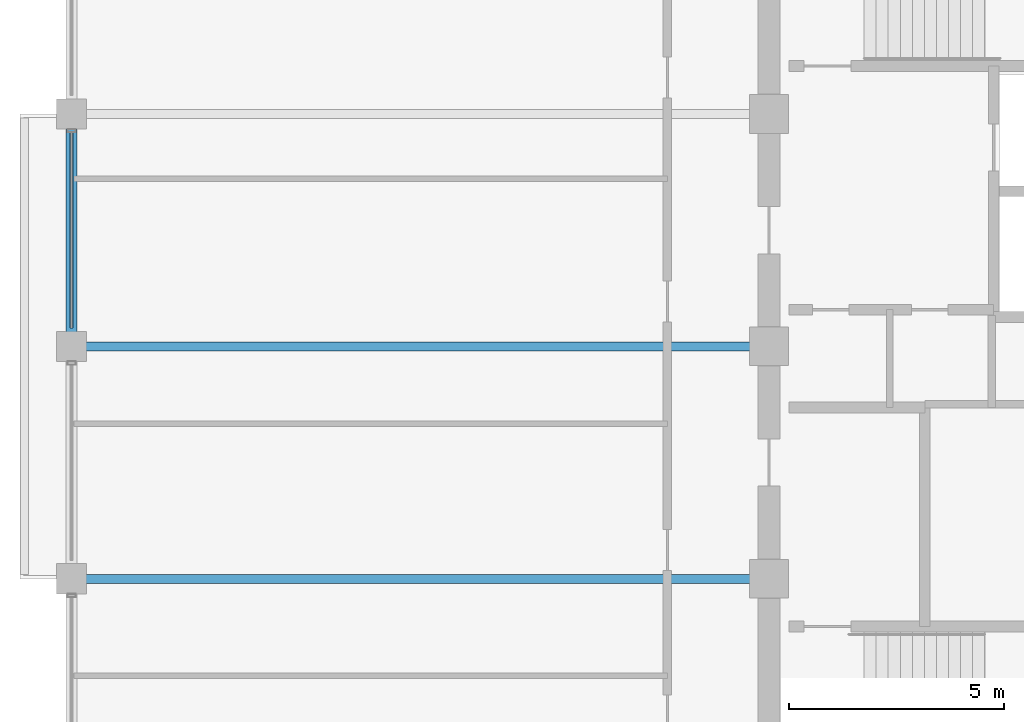
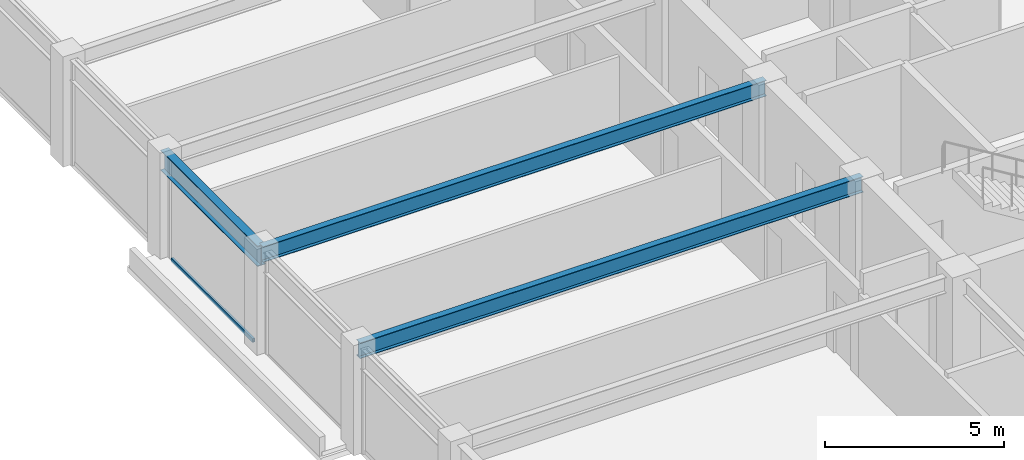
# One storey, part 9 of 30: 3 beams, 1 member, 1 element without a shape of its own.
"""IFC4 building model written with IfcOpenShell, lengths in metres."""

from ifc_helpers import new_model, si_unit, direction, frame, origin, origin_2d, place, context, subcontext, project, spatial, hollow_rectangle, i_section, extrude, material, layer, layer_set, material_profile, profile_set, type_object, element, aggregate, save


model = new_model("IFC4")

# Units and contexts
model_context = context("Model", 3, precision=1e-05, world=origin(), true_north=direction((0.0, 1.0)))
body_context = subcontext(model_context, "Body", "Model", "MODEL_VIEW")
ifc_project = project(units=[si_unit("LENGTHUNIT", "METRE"), si_unit("AREAUNIT", "SQUARE_METRE"), si_unit("VOLUMEUNIT", "CUBIC_METRE"), si_unit("PLANEANGLEUNIT", "RADIAN"), si_unit("MASSUNIT", "GRAM", prefix="KILO")], contexts=[model_context])

# Site, building, storey
site_placement = place(None, origin())
site = spatial("IfcSite", under=ifc_project, at=site_placement, CompositionType="ELEMENT")
building_placement = place(site_placement, origin())
building = spatial("IfcBuilding", under=site, at=building_placement, Name="Surkhivell Harbour Commons", CompositionType="ELEMENT")
storey_placement = place(building_placement, frame((0.0, 0.0, 281.25)))
storey = spatial("IfcBuildingStorey", under=building, at=storey_placement, Name="L73", CompositionType="ELEMENT", Elevation=281.25)

# Beams
ifc_material_1 = material(Name="Steel S355", Category="steel")
ifc_material_profile_1 = material_profile(ifc_material_1, i_section(OverallWidth=0.2099609375, OverallDepth=0.537109375, WebThickness=0.0107421875, FlangeThickness=0.017333984375, at=origin_2d()), Name="UB533x210x101")
ifc_profile_set_1 = profile_set([ifc_material_profile_1], Name="Steel S355")
beam_type_1 = type_object("IfcBeamType", Name="BM-GRD-533B", PredefinedType="BEAM", material=ifc_profile_set_1)
for number, where, z_axis, x_axis, name in (
    (1, (-27.0, -5.39990234375, 3.301513671875), (1.0, 0.0, 0.0), (0.0, 1.0, 0.0), "L73 Floor Girder (-27.0,-5.4)"),
    (2, (-27.0, 0.0, 3.301513671875), (1.0, 0.0, 0.0), (0.0, 1.0, 0.0), "L73 Floor Girder (-27.0,0.0)"),
):
    element("IfcBeam", number, at=place(storey_placement, frame(where, z_axis=z_axis, x_axis=x_axis)), inside=storey, type_object=beam_type_1, Name=name, PredefinedType="BEAM", context=body_context, shape_type="SweptSolid", body=[
        extrude(i_section(OverallWidth=0.2099609375, OverallDepth=0.537109375, WebThickness=0.0107421875, FlangeThickness=0.017333984375, at=origin_2d()), origin(), (0.0, 0.0, 1.0), 16.199951171875),
    ])
ifc_material_profile_2 = material_profile(ifc_material_1, i_section(OverallWidth=0.256103515625, OverallDepth=0.693115234375, WebThickness=0.014404296875, FlangeThickness=0.023681640625, at=origin_2d()), Name="UB686x254x170")
ifc_profile_set_2 = profile_set([ifc_material_profile_2], Name="Steel S355")
beam_type_2 = type_object("IfcBeamType", Name="BM-SPN-686", PredefinedType="SPANDREL", material=ifc_profile_set_2)
beam_placement = place(storey_placement, frame((-27.0, 0.0, 3.223388671875), z_axis=(0.0, 1.0, 0.0), x_axis=(-1.0, 0.0, 0.0)))
element("IfcBeam", 3, at=beam_placement, inside=storey, type_object=beam_type_2, Name="L73 Tube Spandrel (-27.0,0.0)", PredefinedType="SPANDREL", context=body_context, shape_type="SweptSolid", body=[
    extrude(i_section(OverallWidth=0.256103515625, OverallDepth=0.693115234375, WebThickness=0.014404296875, FlangeThickness=0.023681640625, at=origin_2d()), origin(), (0.0, 0.0, 1.0), 5.39990234375),
])

# Curtain wall, member
ifc_material_2 = material(Name="Anodised pale-metal aluminium and insulated glazing", Category="aluminium")
ifc_layer = layer(ifc_material_2, 0.175048828125)
ifc_layer_set = layer_set([ifc_layer], Name="Anodised pale-metal aluminium and insulated glazing")
curtain_wall_type = type_object("IfcCurtainWallType", Name="CW-SYS-Z4", PredefinedType="NOTDEFINED", material=ifc_layer_set)
curtain_wall_placement = place(storey_placement, origin())
curtain_wall = element("IfcCurtainWall", 4, at=curtain_wall_placement, inside=storey, type_object=curtain_wall_type, Name="L73 Curtain Wall CW-L73-E12S1", PredefinedType="NOTDEFINED")
ifc_material_3 = material(Name="Champagne anodised aluminium alloy 6063-T6", Category="aluminium")
ifc_material_profile_3 = material_profile(ifc_material_3, hollow_rectangle(XDim=0.070068359375, YDim=0.1298828125, WallThickness=0.00341796875, at=origin_2d()), Name="ALU-TRAN-70x130")
ifc_profile_set_3 = profile_set([ifc_material_profile_3], Name="Champagne anodised aluminium alloy 6063-T6")
member_type = type_object("IfcMemberType", Name="CWT-130", PredefinedType="USERDEFINED", material=ifc_profile_set_3)
member_placement = place(storey_placement, frame((-27.0, 4.972900390625, 0.06494140625), z_axis=(0.0, -1.0, 0.0), x_axis=(1.0, 0.0, 0.0)))
member = element("IfcMember", 5, at=member_placement, type_object=member_type, Name="CW-Z4 transom 4.1", ObjectType="TRANSOM", PredefinedType="USERDEFINED", context=body_context, shape_type="SweptSolid", body=[
    extrude(hollow_rectangle(XDim=0.070068359375, YDim=0.1298828125, WallThickness=0.00341796875, at=origin_2d()), origin(), (0.0, 0.0, 1.0), 4.5458984375),
])
aggregate(curtain_wall, [member])

save(model, "model.ifc")
